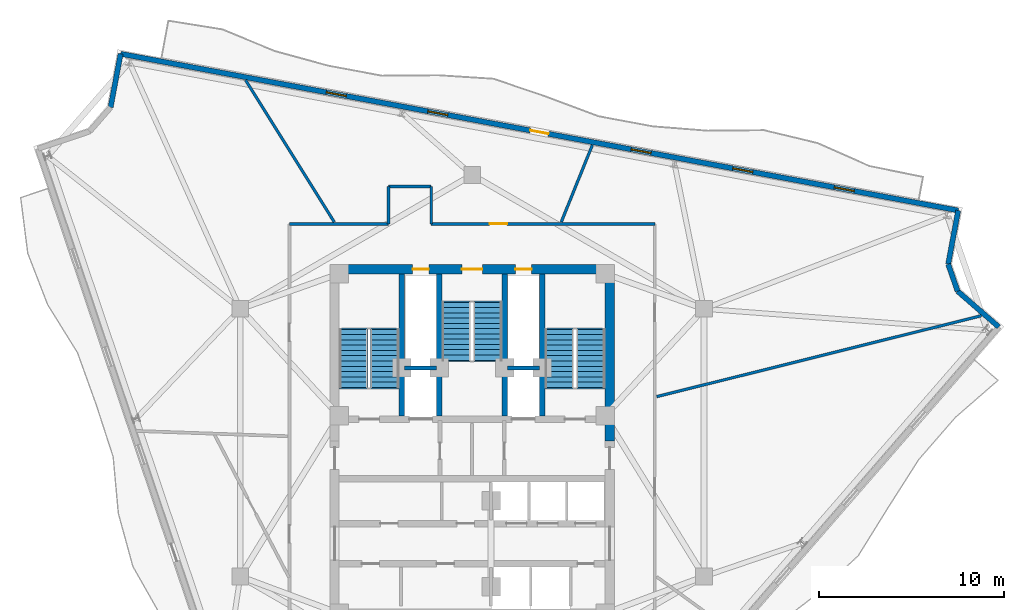
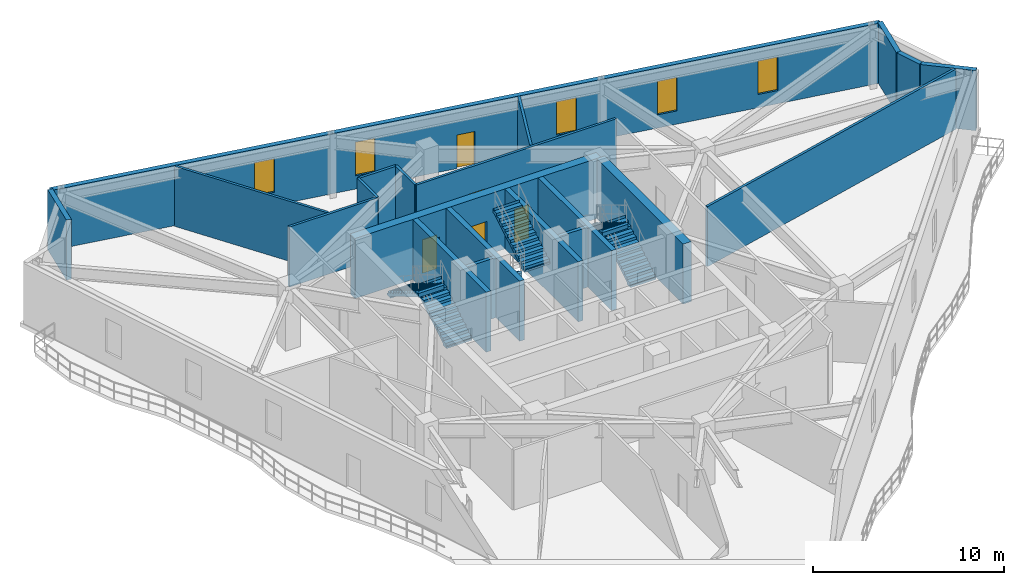
# One storey, part 6 of 9: 21 walls, 6 stair flights, 5 doors, 5 windows, 10 openings, 3 elements without a shape of their own.
"""IFC4 building model written with IfcOpenShell, lengths in metres."""

import ifcopenshell
import ifcopenshell.guid

model = None  # the IFC model being written
_history = None  # IfcOwnerHistory: only IFC2X3 demands one
_inside = {}  # id of a spatial element -> (the spatial element, [elements in it])
_under = {}  # id of a project, library or spatial element -> (it, [spatial elements below it])
_declared = {}  # id of a project -> (the project, [libraries it declares])
_typed = {}  # id of a type object -> (the type object, [elements of that type])
_made_of = {}  # id of a material, layer set ... -> (it, [elements and type objects made of it])


def new_model(schema):
    """Start an empty IFC model of exactly this schema.

    Asked for "IFC4X3", IfcOpenShell would pick the latest addendum, in which some entities
    have other attributes; the version numbers below select the first issue.
    IFC2X3 requires an IfcOwnerHistory on every rooted entity: one is made here for all.
    """
    global model, _history
    if schema == "IFC4X3":
        model = ifcopenshell.file(schema_version=(4, 3, 0, 0))
    else:
        model = ifcopenshell.file(schema=schema)
    _inside.clear()
    _under.clear()
    _declared.clear()
    _typed.clear()
    _made_of.clear()
    _history = None
    if model.schema == "IFC2X3":
        org = make("IfcOrganization", Name="unknown")
        user = make(
            "IfcPersonAndOrganization",
            ThePerson=make("IfcPerson", FamilyName="unknown"),
            TheOrganization=org,
        )
        app = make(
            "IfcApplication",
            ApplicationDeveloper=org,
            Version="unknown",
            ApplicationFullName="unknown",
            ApplicationIdentifier="unknown",
        )
        _history = make(
            "IfcOwnerHistory",
            OwningUser=user,
            OwningApplication=app,
            ChangeAction="ADDED",
            CreationDate=0,
        )
    return model


def make(cls, **values):
    """One entity of the class cls with the attributes given. An attribute that is None is left unset."""
    return model.create_entity(
        cls, **{name: value for name, value in values.items() if value is not None}
    )


def rooted(cls, **values):
    """An entity with a GlobalId (a new one), such as an element, a storey or a relation."""
    return make(cls, GlobalId=ifcopenshell.guid.new(), OwnerHistory=_history, **values)


def si_unit(unit_type, name, prefix=None):
    """IfcSIUnit, for example si_unit("LENGTHUNIT", "METRE", prefix="MILLI")."""
    return make("IfcSIUnit", UnitType=unit_type, Prefix=prefix, Name=name)


def assignment(units):
    """IfcUnitAssignment: the units of a project."""
    return None if units is None else make("IfcUnitAssignment", Units=units)


def point(xyz):
    """IfcCartesianPoint."""
    return None if xyz is None else make("IfcCartesianPoint", Coordinates=xyz)


def direction(xyz):
    """IfcDirection."""
    return None if xyz is None else make("IfcDirection", DirectionRatios=xyz)


def frame(location, z_axis=None, x_axis=None):
    """IfcAxis2Placement3D, a coordinate frame: its origin and axes. An axis left out is left unset."""
    return make(
        "IfcAxis2Placement3D",
        Location=point(location),
        Axis=direction(z_axis),
        RefDirection=direction(x_axis),
    )


def frame_2d(location, x_axis=None):
    """IfcAxis2Placement2D, a coordinate frame in the plane: its origin and x axis."""
    return make(
        "IfcAxis2Placement2D", Location=point(location), RefDirection=direction(x_axis)
    )


def origin():
    """The frame at (0, 0, 0) with its axes left unset."""
    return frame((0.0, 0.0, 0.0))


def place(relative_to, where):
    """IfcLocalPlacement: puts the frame where relative to a parent placement (None: the world)."""
    return make(
        "IfcLocalPlacement", PlacementRelTo=relative_to, RelativePlacement=where
    )


def context(
    kind, dimensions, precision=None, world=None, true_north=None, identifier=None
):
    """IfcGeometricRepresentationContext, for example the 3D "Model" context."""
    return make(
        "IfcGeometricRepresentationContext",
        ContextIdentifier=identifier,
        ContextType=kind,
        CoordinateSpaceDimension=dimensions,
        Precision=precision,
        WorldCoordinateSystem=world,
        TrueNorth=true_north,
    )


def subcontext(parent, identifier, kind, view, scale=None):
    """IfcGeometricRepresentationSubContext, for example "Body" below "Model"."""
    return make(
        "IfcGeometricRepresentationSubContext",
        ContextIdentifier=identifier,
        ContextType=kind,
        ParentContext=parent,
        TargetScale=scale,
        TargetView=view,
    )


def project(units=None, contexts=None):
    """IfcProject with its units and contexts."""
    return rooted(
        "IfcProject",
        Name="project",
        RepresentationContexts=contexts,
        UnitsInContext=assignment(units),
    )


def spatial(cls, under=None, at=None, **own):
    """A site, building, storey or space (cls), placed at a placement, below another one or the project."""
    s = rooted(cls, ObjectPlacement=at, **own)
    if under is not None:
        _under.setdefault(under.id(), (under, []))[1].append(s)
    return s


def polyline(points):
    """IfcPolyline through the points."""
    return make("IfcPolyline", Points=[point(p) for p in points])


def profile(cls, at=None, kind="AREA", **sizes):
    """A parametric profile (cls). Its sizes go by their IFC names, for example OverallWidth=200.0."""
    return make(cls, ProfileType=kind, Position=at, **sizes)


def rectangle(**sizes):
    """IfcRectangleProfileDef."""
    return profile("IfcRectangleProfileDef", **sizes)


def outline(outer, holes=None, kind="AREA"):
    """IfcArbitraryClosedProfileDef: a profile drawn as a closed curve; with holes, ...WithVoids."""
    if holes is None:
        return make("IfcArbitraryClosedProfileDef", ProfileType=kind, OuterCurve=outer)
    return make(
        "IfcArbitraryProfileDefWithVoids",
        ProfileType=kind,
        OuterCurve=outer,
        InnerCurves=holes,
    )


def extrude(swept, where, along, depth):
    """IfcExtrudedAreaSolid: the profile swept, set in the frame where, extruded along a direction by depth."""
    return make(
        "IfcExtrudedAreaSolid",
        SweptArea=swept,
        Position=where,
        ExtrudedDirection=direction(along),
        Depth=depth,
    )


def shape(context_of_items, identifier, shape_type, items):
    """IfcShapeRepresentation: the items that make up one representation, for example the "Body"."""
    return make(
        "IfcShapeRepresentation",
        ContextOfItems=context_of_items,
        RepresentationIdentifier=identifier,
        RepresentationType=shape_type,
        Items=items,
    )


def material(Name=None, Category=None):
    """IfcMaterial."""
    return make("IfcMaterial", Name=Name, Category=Category)


def layer(
    of_material, thickness, ventilated=None, Name=None, Category=None, Priority=None
):
    """IfcMaterialLayer: one layer of a wall or slab, of a material (None: an air gap)."""
    return make(
        "IfcMaterialLayer",
        Material=of_material,
        LayerThickness=thickness,
        IsVentilated=ventilated,
        Name=Name,
        Category=Category,
        Priority=Priority,
    )


def layer_set(layers, Name=None):
    """IfcMaterialLayerSet."""
    return make("IfcMaterialLayerSet", MaterialLayers=layers, LayerSetName=Name)


def made_of(thing, what):
    """Note that an element or type object is made of a material, layer set ...; save() writes the relation."""
    if what is not None:
        _made_of.setdefault(what.id(), (what, []))[1].append(thing)
    return thing


def type_object(cls, material=None, **own):
    """A type object (cls), such as IfcWallType, which elements share."""
    return made_of(rooted(cls, **own), material)


def element(
    cls,
    number,
    at=None,
    inside=None,
    cuts=None,
    type_object=None,
    material=None,
    context=None,
    identifier="Body",
    shape_type=None,
    held_by="IfcProductDefinitionShape",
    body=None,
    shapes=None,
    **own,
):
    """One element of the class cls, such as IfcWall. Its Tag is "e" and its number.

    at: its placement. inside: the storey or other place that contains it. cuts: it is an
    opening in that element (IfcRelVoidsElement). A single representation is given by context,
    identifier, shape_type and body (its items); several are given by shapes. held_by: the class
    of the entity that holds the representations. save() writes the other relations.
    """
    e = rooted(cls, Tag="e%d" % number, ObjectPlacement=at, **own)
    if body is not None:
        shapes = [shape(context, identifier, shape_type, body)]
    if shapes is not None:
        e.Representation = make(held_by, Representations=shapes)
    if inside is not None:
        _inside.setdefault(inside.id(), (inside, []))[1].append(e)
    if cuts is not None:
        rooted(
            "IfcRelVoidsElement", RelatingBuildingElement=cuts, RelatedOpeningElement=e
        )
    if type_object is not None:
        _typed.setdefault(type_object.id(), (type_object, []))[1].append(e)
    return made_of(e, material)


def fill(opening, filler):
    """IfcRelFillsElement: the door or window that sits in an opening."""
    return rooted(
        "IfcRelFillsElement",
        RelatingOpeningElement=opening,
        RelatedBuildingElement=filler,
    )


def aggregate(whole, parts):
    """IfcRelAggregates: a whole, such as a stair, and the parts it consists of."""
    return rooted("IfcRelAggregates", RelatingObject=whole, RelatedObjects=parts)


def save(model, path):
    """Write the relations noted so far, then the file.

    IfcRelAggregates (storeys below a building ...), IfcRelContainedInSpatialStructure (elements
    in a storey), IfcRelDefinesByType, IfcRelAssociatesMaterial and IfcRelDeclares: one each for
    every whole, place, type object, material and project.
    """
    for whole, parts in _under.values():
        aggregate(whole, parts)
    for where, things in _inside.values():
        rooted(
            "IfcRelContainedInSpatialStructure",
            RelatedElements=things,
            RelatingStructure=where,
        )
    for kind, things in _typed.values():
        rooted("IfcRelDefinesByType", RelatedObjects=things, RelatingType=kind)
    for what, things in _made_of.values():
        rooted("IfcRelAssociatesMaterial", RelatedObjects=things, RelatingMaterial=what)
    for by, libraries in _declared.values():
        rooted("IfcRelDeclares", RelatingContext=by, RelatedDefinitions=libraries)
    model.write(path)


model = new_model("IFC4")

# Units and contexts
model_context = context("Model", 3, precision=1e-05, world=origin(), true_north=direction((0.0, 1.0)))
body_context = subcontext(model_context, "Body", "Model", "MODEL_VIEW")
ifc_project = project(units=[si_unit("LENGTHUNIT", "METRE"), si_unit("AREAUNIT", "SQUARE_METRE"), si_unit("VOLUMEUNIT", "CUBIC_METRE"), si_unit("PLANEANGLEUNIT", "RADIAN"), si_unit("MASSUNIT", "GRAM", prefix="KILO")], contexts=[model_context])

# Site, building, storey
site_placement = place(None, origin())
site = spatial("IfcSite", under=ifc_project, at=site_placement, CompositionType="ELEMENT")
building_placement = place(site_placement, origin())
building = spatial("IfcBuilding", under=site, at=building_placement, Name="Apsidion Concourse Tower", CompositionType="ELEMENT")
storey_placement = place(building_placement, frame((0.0, 0.0, 273.699951171875)))
storey = spatial("IfcBuildingStorey", under=building, at=storey_placement, Name="L64", CompositionType="ELEMENT", Elevation=273.699951171875)

# Wall, openings, door, windows
ifc_material_1 = material(Name="Precast concrete C40/50", Category="concrete")
ifc_layer_1 = layer(ifc_material_1, 0.280029296875)
ifc_layer_set_1 = layer_set([ifc_layer_1], Name="Precast concrete C40/50")
wall_type_1 = type_object("IfcWallType", Name="WL-EXT-280", PredefinedType="STANDARD", material=ifc_layer_set_1)
wall_1_placement = place(storey_placement, frame((-19.04150390625, 21.06640625, 0.0), z_axis=(0.0, 0.0, 1.0), x_axis=(0.982948140881, -0.183882985453, 0.0)))
wall_1 = element("IfcWall", 1, at=wall_1_placement, inside=storey, type_object=wall_type_1, Name="L64 Precast Stone Facade Wall 01", PredefinedType="STANDARD", context=body_context, shape_type="SweptSolid", body=[
    extrude(rectangle(XDim=46.16259765625, YDim=0.280029296875, at=frame_2d((23.081298828125, 0.0))), origin(), (0.0, 0.0, 1.0), 3.85009765625),
])
opening_1_placement = place(wall_1_placement, frame((22.581298828125, 0.0, 0.0)))
opening_1 = element("IfcOpeningElement", 2, at=opening_1_placement, cuts=wall_1, Name="Opening D-T1L", PredefinedType="OPENING", context=body_context, shape_type="SweptSolid", body=[
    extrude(rectangle(XDim=1.0, YDim=2.14990234375, at=frame_2d((0.5, 1.074951171875))), frame((0.0, 0.14990234375, 0.0), z_axis=(0.0, -1.0, 0.0), x_axis=(1.0, 0.0, 0.0)), (0.0, 0.0, 1.0), 0.300048828125),
])
opening_2_placement = place(wall_1_placement, frame((11.331298828125, 0.0, 0.85009765625)))
opening_2 = element("IfcOpeningElement", 3, at=opening_2_placement, cuts=wall_1, Name="Opening WN-07", PredefinedType="OPENING", context=body_context, shape_type="SweptSolid", body=[
    extrude(rectangle(XDim=1.10009765625, YDim=2.14990234375, at=frame_2d((0.550048828125, 1.074951171875))), frame((0.0, 0.14990234375, 0.0), z_axis=(0.0, -1.0, 0.0), x_axis=(1.0, 0.0, 0.0)), (0.0, 0.0, 1.0), 0.300048828125),
])
opening_3_placement = place(wall_1_placement, frame((16.931396484375, 0.0, 0.85009765625)))
opening_3 = element("IfcOpeningElement", 4, at=opening_3_placement, cuts=wall_1, Name="Opening WN-07", PredefinedType="OPENING", context=body_context, shape_type="SweptSolid", body=[
    extrude(rectangle(XDim=1.10009765625, YDim=2.14990234375, at=frame_2d((0.550048828125, 1.074951171875))), frame((0.0, 0.14990234375, 0.0), z_axis=(0.0, -1.0, 0.0), x_axis=(1.0, 0.0, 0.0)), (0.0, 0.0, 1.0), 0.300048828125),
])
opening_4_placement = place(wall_1_placement, frame((28.13134765625, 0.0, 0.85009765625)))
opening_4 = element("IfcOpeningElement", 5, at=opening_4_placement, cuts=wall_1, Name="Opening WN-07", PredefinedType="OPENING", context=body_context, shape_type="SweptSolid", body=[
    extrude(rectangle(XDim=1.10009765625, YDim=2.14990234375, at=frame_2d((0.550048828125, 1.074951171875))), frame((0.0, 0.14990234375, 0.0), z_axis=(0.0, -1.0, 0.0), x_axis=(1.0, 0.0, 0.0)), (0.0, 0.0, 1.0), 0.300048828125),
])
opening_5_placement = place(wall_1_placement, frame((33.731201171875, 0.0, 0.85009765625)))
opening_5 = element("IfcOpeningElement", 6, at=opening_5_placement, cuts=wall_1, Name="Opening WN-07", PredefinedType="OPENING", context=body_context, shape_type="SweptSolid", body=[
    extrude(rectangle(XDim=1.10009765625, YDim=2.14990234375, at=frame_2d((0.550048828125, 1.074951171875))), frame((0.0, 0.14990234375, 0.0), z_axis=(0.0, -1.0, 0.0), x_axis=(1.0, 0.0, 0.0)), (0.0, 0.0, 1.0), 0.300048828125),
])
opening_6_placement = place(wall_1_placement, frame((39.331298828125, 0.0, 0.85009765625)))
opening_6 = element("IfcOpeningElement", 7, at=opening_6_placement, cuts=wall_1, Name="Opening WN-07", PredefinedType="OPENING", context=body_context, shape_type="SweptSolid", body=[
    extrude(rectangle(XDim=1.10009765625, YDim=2.14990234375, at=frame_2d((0.550048828125, 1.074951171875))), frame((0.0, 0.14990234375, 0.0), z_axis=(0.0, -1.0, 0.0), x_axis=(1.0, 0.0, 0.0)), (0.0, 0.0, 1.0), 0.300048828125),
])
ifc_material_2 = material(Name="Anodised aluminium EN AW-6063 T6", Category="aluminium")
door_type_1 = type_object("IfcDoorType", Name="DR-TER-1022L", OperationType="SINGLE_SWING_LEFT", PredefinedType="DOOR", material=ifc_material_2)
door_1_placement = place(opening_1_placement, origin())
door_1 = element("IfcDoor", 8, at=door_1_placement, inside=storey, type_object=door_type_1, Name="L64 Balcony Access Door 3", OperationType="SINGLE_SWING_LEFT", OverallHeight=2.14990234375, OverallWidth=1.0, PredefinedType="DOOR", context=body_context, shape_type="SweptSolid", body=[
    extrude(rectangle(XDim=1.0, YDim=2.14990234375, at=frame_2d((0.5, 1.074951171875))), frame((0.0, 0.02490234375, 0.0), z_axis=(0.0, -1.0, 0.0), x_axis=(1.0, 0.0, 0.0)), (0.0, 0.0, 1.0), 0.050048828125),
])
fill(opening_1, door_1)
ifc_material_3 = material(Name="Insulated laminated low-E glass", Category="glass")
window_type = type_object("IfcWindowType", Name="WN-OFF-1123", PartitioningType="SINGLE_PANEL", PredefinedType="WINDOW", material=ifc_material_3)
window_1_placement = place(opening_2_placement, origin())
window_1 = element("IfcWindow", 9, at=window_1_placement, inside=storey, type_object=window_type, Name="L64 Punched Facade Window 1-02", OverallHeight=2.14990234375, OverallWidth=1.10009765625, PartitioningType="SINGLE_PANEL", PredefinedType="WINDOW", context=body_context, shape_type="SweptSolid", body=[
    extrude(rectangle(XDim=1.10009765625, YDim=2.14990234375, at=frame_2d((0.550048828125, 1.074951171875))), frame((0.0, 0.030029296875, 0.0), z_axis=(0.0, -1.0, 0.0), x_axis=(1.0, 0.0, 0.0)), (0.0, 0.0, 1.0), 0.06005859375),
])
fill(opening_2, window_1)
window_2_placement = place(opening_3_placement, origin())
window_2 = element("IfcWindow", 10, at=window_2_placement, inside=storey, type_object=window_type, Name="L64 Punched Facade Window 1-03", OverallHeight=2.14990234375, OverallWidth=1.10009765625, PartitioningType="SINGLE_PANEL", PredefinedType="WINDOW", context=body_context, shape_type="SweptSolid", body=[
    extrude(rectangle(XDim=1.10009765625, YDim=2.14990234375, at=frame_2d((0.550048828125, 1.074951171875))), frame((0.0, 0.030029296875, 0.0), z_axis=(0.0, -1.0, 0.0), x_axis=(1.0, 0.0, 0.0)), (0.0, 0.0, 1.0), 0.06005859375),
])
fill(opening_3, window_2)
window_3_placement = place(opening_4_placement, origin())
window_3 = element("IfcWindow", 11, at=window_3_placement, inside=storey, type_object=window_type, Name="L64 Punched Facade Window 1-05", OverallHeight=2.14990234375, OverallWidth=1.10009765625, PartitioningType="SINGLE_PANEL", PredefinedType="WINDOW", context=body_context, shape_type="SweptSolid", body=[
    extrude(rectangle(XDim=1.10009765625, YDim=2.14990234375, at=frame_2d((0.550048828125, 1.074951171875))), frame((0.0, 0.030029296875, 0.0), z_axis=(0.0, -1.0, 0.0), x_axis=(1.0, 0.0, 0.0)), (0.0, 0.0, 1.0), 0.06005859375),
])
fill(opening_4, window_3)
window_4_placement = place(opening_5_placement, origin())
window_4 = element("IfcWindow", 12, at=window_4_placement, inside=storey, type_object=window_type, Name="L64 Punched Facade Window 1-06", OverallHeight=2.14990234375, OverallWidth=1.10009765625, PartitioningType="SINGLE_PANEL", PredefinedType="WINDOW", context=body_context, shape_type="SweptSolid", body=[
    extrude(rectangle(XDim=1.10009765625, YDim=2.14990234375, at=frame_2d((0.550048828125, 1.074951171875))), frame((0.0, 0.030029296875, 0.0), z_axis=(0.0, -1.0, 0.0), x_axis=(1.0, 0.0, 0.0)), (0.0, 0.0, 1.0), 0.06005859375),
])
fill(opening_5, window_4)
window_5_placement = place(opening_6_placement, origin())
window_5 = element("IfcWindow", 13, at=window_5_placement, inside=storey, type_object=window_type, Name="L64 Punched Facade Window 1-07", OverallHeight=2.14990234375, OverallWidth=1.10009765625, PartitioningType="SINGLE_PANEL", PredefinedType="WINDOW", context=body_context, shape_type="SweptSolid", body=[
    extrude(rectangle(XDim=1.10009765625, YDim=2.14990234375, at=frame_2d((0.550048828125, 1.074951171875))), frame((0.0, 0.030029296875, 0.0), z_axis=(0.0, -1.0, 0.0), x_axis=(1.0, 0.0, 0.0)), (0.0, 0.0, 1.0), 0.06005859375),
])
fill(opening_6, window_5)

# Walls
wall_2_placement = place(storey_placement, frame((26.333984375, 12.577880859375, 0.0), z_axis=(0.0, 0.0, 1.0), x_axis=(-0.183929325972, -0.982939470694, 0.0)))
element("IfcWall", 14, at=wall_2_placement, inside=storey, type_object=wall_type_1, Name="L64 Precast Stone Facade Wall 02", PredefinedType="STANDARD", context=body_context, shape_type="SweptSolid", body=[
    extrude(rectangle(XDim=2.95458984375, YDim=0.280029296875, at=frame_2d((1.477294921875, 0.0))), origin(), (0.0, 0.0, 1.0), 3.85009765625),
])
wall_3_placement = place(storey_placement, frame((25.79052734375, 9.673583984375, 0.0), z_axis=(0.0, 0.0, 1.0), x_axis=(0.328922695325, -0.944356850189, 0.0)))
element("IfcWall", 15, at=wall_3_placement, inside=storey, type_object=wall_type_1, Name="L64 Precast Stone Facade Wall 03", PredefinedType="STANDARD", context=body_context, shape_type="SweptSolid", body=[
    extrude(rectangle(XDim=1.55419921875, YDim=0.280029296875, at=frame_2d((0.777099609375, 0.0))), origin(), (0.0, 0.0, 1.0), 3.85009765625),
])
wall_4_placement = place(storey_placement, frame((26.3017578125, 8.205810546875, 0.0), z_axis=(0.0, 0.0, 1.0), x_axis=(0.754717590568, -0.656049814028, 0.0)))
element("IfcWall", 16, at=wall_4_placement, inside=storey, type_object=wall_type_1, Name="L64 Precast Stone Facade Wall 04", PredefinedType="STANDARD", context=body_context, shape_type="SweptSolid", body=[
    extrude(rectangle(XDim=2.954345703125, YDim=0.280029296875, at=frame_2d((1.47705078125, 0.0))), origin(), (0.0, 0.0, 1.0), 3.85009765625),
])
wall_5_placement = place(storey_placement, frame((-19.5849609375, 18.1611328125, 0.0), z_axis=(0.0, 0.0, 1.0), x_axis=(0.183869591509, 0.982950646431, 0.0)))
element("IfcWall", 17, at=wall_5_placement, inside=storey, type_object=wall_type_1, Name="L64 Precast Stone Facade Wall 12", PredefinedType="STANDARD", context=body_context, shape_type="SweptSolid", body=[
    extrude(rectangle(XDim=2.95556640625, YDim=0.280029296875, at=frame_2d((1.477783203125, 0.0))), origin(), (0.0, 0.0, 1.0), 3.85009765625),
])
ifc_material_4 = material(Name="Gypsum plasterboard partition")
ifc_layer_2 = layer(ifc_material_4, 0.14990234375)
ifc_layer_set_2 = layer_set([ifc_layer_2], Name="Gypsum plasterboard partition")
wall_type_2 = type_object("IfcWallType", Name="WL-INT-PAR-150", PredefinedType="PARTITIONING", material=ifc_layer_set_2)
wall_6_placement = place(storey_placement, frame((-9.89990234375, 11.85009765625, 0.0), z_axis=(0.0, 0.0, 1.0), x_axis=(1.0, 0.0, 0.0)))
element("IfcWall", 18, at=wall_6_placement, inside=storey, type_object=wall_type_2, Name="L64 Interior Partition WL-L64-CORR-03", PredefinedType="PARTITIONING", context=body_context, shape_type="SweptSolid", body=[
    extrude(rectangle(XDim=5.369873046875, YDim=0.14990234375, at=frame_2d((2.68505859375, 0.0))), origin(), (0.0, 0.0, 1.0), 3.85009765625),
])
wall_7_placement = place(storey_placement, frame((-4.530029296875, 11.85009765625, 0.0), z_axis=(0.0, 0.0, 1.0), x_axis=(0.0, 1.0, 0.0)))
element("IfcWall", 19, at=wall_7_placement, inside=storey, type_object=wall_type_2, Name="L64 Interior Partition WL-L64-CORR-04", PredefinedType="PARTITIONING", context=body_context, shape_type="SweptSolid", body=[
    extrude(rectangle(XDim=2.02978515625, YDim=0.14990234375, at=frame_2d((1.014892578125, 0.0))), origin(), (0.0, 0.0, 1.0), 3.85009765625),
])
wall_8_placement = place(storey_placement, frame((-4.530029296875, 13.8798828125, 0.0), z_axis=(0.0, 0.0, 1.0), x_axis=(1.0, 0.0, 0.0)))
element("IfcWall", 20, at=wall_8_placement, inside=storey, type_object=wall_type_2, Name="L64 Interior Partition WL-L64-CORR-05", PredefinedType="PARTITIONING", context=body_context, shape_type="SweptSolid", body=[
    extrude(rectangle(XDim=2.31005859375, YDim=0.14990234375, at=frame_2d((1.155029296875, 0.0))), origin(), (0.0, 0.0, 1.0), 3.85009765625),
])
wall_9_placement = place(storey_placement, frame((-2.219970703125, 13.8798828125, 0.0), z_axis=(0.0, 0.0, 1.0), x_axis=(0.0, -1.0, 0.0)))
element("IfcWall", 21, at=wall_9_placement, inside=storey, type_object=wall_type_2, Name="L64 Interior Partition WL-L64-CORR-06", PredefinedType="PARTITIONING", context=body_context, shape_type="SweptSolid", body=[
    extrude(rectangle(XDim=2.02978515625, YDim=0.14990234375, at=frame_2d((1.014892578125, 0.0))), origin(), (0.0, 0.0, 1.0), 3.85009765625),
])

# Wall, opening, door
wall_10_placement = place(storey_placement, frame((-2.219970703125, 11.85009765625, 0.0), z_axis=(0.0, 0.0, 1.0), x_axis=(1.0, 0.0, 0.0)))
wall_10 = element("IfcWall", 22, at=wall_10_placement, inside=storey, type_object=wall_type_2, Name="L64 Interior Partition WL-L64-CORR-07", PredefinedType="PARTITIONING", context=body_context, shape_type="SweptSolid", body=[
    extrude(rectangle(XDim=12.119873046875, YDim=0.14990234375, at=frame_2d((6.06005859375, 0.0))), origin(), (0.0, 0.0, 1.0), 3.85009765625),
])
opening_7_placement = place(wall_10_placement, frame((3.171875, 0.0, 0.0)))
opening_7 = element("IfcOpeningElement", 23, at=opening_7_placement, cuts=wall_10, Name="Opening D-01R", PredefinedType="OPENING", context=body_context, shape_type="SweptSolid", body=[
    extrude(rectangle(XDim=0.949951171875, YDim=2.14990234375, at=frame_2d((0.47509765625, 1.074951171875))), frame((0.0, 0.0849609375, 0.0), z_axis=(0.0, -1.0, 0.0), x_axis=(1.0, 0.0, 0.0)), (0.0, 0.0, 1.0), 0.169921875),
])
ifc_material_5 = material(Name="Brushed stainless steel 316", Category="steel")
door_type_2 = type_object("IfcDoorType", Name="DR-INT-D01R", OperationType="SINGLE_SWING_RIGHT", PredefinedType="DOOR", material=ifc_material_5)
door_2_placement = place(opening_7_placement, origin())
door_2 = element("IfcDoor", 24, at=door_2_placement, inside=storey, type_object=door_type_2, Name="L64 Corridor Entry Door 06", OperationType="SINGLE_SWING_RIGHT", OverallHeight=2.14990234375, OverallWidth=0.949951171875, PredefinedType="DOOR", context=body_context, shape_type="SweptSolid", body=[
    extrude(rectangle(XDim=0.949951171875, YDim=2.14990234375, at=frame_2d((0.47509765625, 1.074951171875))), frame((0.0, 0.02490234375, 0.0), z_axis=(0.0, -1.0, 0.0), x_axis=(1.0, 0.0, 0.0)), (0.0, 0.0, 1.0), 0.050048828125),
])
fill(opening_7, door_2)

# Walls
wall_11_placement = place(storey_placement, frame((10.0048828125, 2.494384765625, 0.0), z_axis=(0.0, 0.0, 1.0), x_axis=(0.970293647919, 0.24193023128, 0.0)))
element("IfcWall", 25, at=wall_11_placement, inside=storey, type_object=wall_type_2, Name="L64 Interior Partition WL-L64-RAD-01-1", PredefinedType="PARTITIONING", context=body_context, shape_type="SweptSolid", body=[
    extrude(rectangle(XDim=18.125, YDim=0.14990234375, at=frame_2d((9.0625, 0.0))), origin(), (0.0, 0.0, 1.0), 3.85009765625),
])
wall_12_placement = place(storey_placement, frame((4.830078125, 11.955078125, 0.0), z_axis=(0.0, 0.0, 1.0), x_axis=(0.374643331919, 0.927169010401, 0.0)))
element("IfcWall", 26, at=wall_12_placement, inside=storey, type_object=wall_type_2, Name="L64 Interior Partition WL-L64-RAD-02-1", PredefinedType="PARTITIONING", context=body_context, shape_type="SweptSolid", body=[
    extrude(rectangle(XDim=4.50048828125, YDim=0.14990234375, at=frame_2d((2.250244140625, 0.0))), origin(), (0.0, 0.0, 1.0), 3.85009765625),
])
wall_13_placement = place(storey_placement, frame((-7.47021484375, 11.955078125, 0.0), z_axis=(0.0, 0.0, 1.0), x_axis=(-0.529940838279, 0.848034614815, 0.0)))
element("IfcWall", 27, at=wall_13_placement, inside=storey, type_object=wall_type_2, Name="L64 Interior Partition WL-L64-RAD-03-1", PredefinedType="PARTITIONING", context=body_context, shape_type="SweptSolid", body=[
    extrude(rectangle(XDim=9.065185546875, YDim=0.14990234375, at=frame_2d((4.53271484375, 0.0))), origin(), (0.0, 0.0, 1.0), 3.85009765625),
])
ifc_layer_3 = layer(ifc_material_4, 0.199951171875)
ifc_layer_set_3 = layer_set([ifc_layer_3], Name="Gypsum plasterboard partition")
wall_type_3 = type_object("IfcWallType", Name="WL-INT-PAR-200", PredefinedType="PARTITIONING", material=ifc_layer_set_3)
for number, where, z_axis, x_axis, name in (
    (28, (-3.64990234375, 4.050048828125, 0.0), (0.0, 0.0, 1.0), (1.0, 0.0, 0.0), "L64 Interior Partition WL-L64-FF1-N"),
    (29, (1.919921875, 4.050048828125, 0.0), (0.0, 0.0, 1.0), (1.0, 0.0, 0.0), "L64 Interior Partition WL-L64-FF2-N"),
):
    element("IfcWall", number, at=place(storey_placement, frame(where, z_axis=z_axis, x_axis=x_axis)), inside=storey, type_object=wall_type_3, Name=name, PredefinedType="PARTITIONING", context=body_context, shape_type="SweptSolid", body=[
        extrude(rectangle(XDim=1.72998046875, YDim=0.199951171875, at=frame_2d((0.864990234375, 0.0))), origin(), (0.0, 0.0, 1.0), 3.85009765625),
    ])
ifc_material_6 = material(Name="Concrete C50/60", Category="concrete")
ifc_layer_4 = layer(ifc_material_6, 0.300048828125)
ifc_layer_set_4 = layer_set([ifc_layer_4], Name="Concrete C50/60")
wall_type_4 = type_object("IfcWallType", Name="WL-SH-300", PredefinedType="SHEAR", material=ifc_layer_set_4)
for number, where, z_axis, x_axis, name in (
    (30, (-3.800048828125, 1.449951171875, 0.0), (0.0, 0.0, 1.0), (0.0, 1.0, 0.0), "L64 Central Core Shear Wall V1"),
    (31, (-1.77490234375, 1.449951171875, 0.0), (0.0, 0.0, 1.0), (0.0, 1.0, 0.0), "L64 Central Core Shear Wall V2"),
    (32, (1.77490234375, 1.449951171875, 0.0), (0.0, 0.0, 1.0), (0.0, 1.0, 0.0), "L64 Central Core Shear Wall V3"),
    (33, (3.800048828125, 1.449951171875, 0.0), (0.0, 0.0, 1.0), (0.0, 1.0, 0.0), "L64 Central Core Shear Wall V4"),
):
    element("IfcWall", number, at=place(storey_placement, frame(where, z_axis=z_axis, x_axis=x_axis)), inside=storey, type_object=wall_type_4, Name=name, PredefinedType="SHEAR", context=body_context, shape_type="SweptSolid", body=[
        extrude(rectangle(XDim=7.699951171875, YDim=0.300048828125, at=frame_2d((3.85009765625, 0.0))), origin(), (0.0, 0.0, 1.0), 3.85009765625),
    ])

# Wall, openings, doors
ifc_layer_5 = layer(ifc_material_6, 0.5)
ifc_layer_set_5 = layer_set([ifc_layer_5], Name="Concrete C50/60")
wall_type_5 = type_object("IfcWallType", Name="WL-SH-500", PredefinedType="SHEAR", material=ifc_layer_set_5)
wall_14_placement = place(storey_placement, frame((-7.449951171875, 9.39990234375, 0.0), z_axis=(0.0, 0.0, 1.0), x_axis=(1.0, 0.0, 0.0)))
wall_14 = element("IfcWall", 34, at=wall_14_placement, inside=storey, type_object=wall_type_5, Name="L64 Central Core Shear Wall N", PredefinedType="SHEAR", context=body_context, shape_type="SweptSolid", body=[
    extrude(rectangle(XDim=14.89990234375, YDim=0.5, at=frame_2d((7.449951171875, 0.0))), origin(), (0.0, 0.0, 1.0), 3.85009765625),
])
opening_8_placement = place(wall_14_placement, frame((6.89990234375, 0.0, 0.0)))
opening_8 = element("IfcOpeningElement", 35, at=opening_8_placement, cuts=wall_14, Name="Opening D-STL", PredefinedType="OPENING", context=body_context, shape_type="SweptSolid", body=[
    extrude(rectangle(XDim=1.10009765625, YDim=2.14990234375, at=frame_2d((0.550048828125, 1.074951171875))), frame((0.0, 0.260009765625, 0.0), z_axis=(0.0, -1.0, 0.0), x_axis=(1.0, 0.0, 0.0)), (0.0, 0.0, 1.0), 0.52001953125),
])
opening_9_placement = place(wall_14_placement, frame((4.22998046875, 0.0, 0.0)))
opening_9 = element("IfcOpeningElement", 36, at=opening_9_placement, cuts=wall_14, Name="Opening D-05L", PredefinedType="OPENING", context=body_context, shape_type="SweptSolid", body=[
    extrude(rectangle(XDim=0.8798828125, YDim=2.14990234375, at=frame_2d((0.43994140625, 1.074951171875))), frame((0.0, 0.260009765625, 0.0), z_axis=(0.0, -1.0, 0.0), x_axis=(1.0, 0.0, 0.0)), (0.0, 0.0, 1.0), 0.52001953125),
])
opening_10_placement = place(wall_14_placement, frame((9.7900390625, 0.0, 0.0)))
opening_10 = element("IfcOpeningElement", 37, at=opening_10_placement, cuts=wall_14, Name="Opening D-05R", PredefinedType="OPENING", context=body_context, shape_type="SweptSolid", body=[
    extrude(rectangle(XDim=0.8798828125, YDim=2.14990234375, at=frame_2d((0.43994140625, 1.074951171875))), frame((0.0, 0.260009765625, 0.0), z_axis=(0.0, -1.0, 0.0), x_axis=(1.0, 0.0, 0.0)), (0.0, 0.0, 1.0), 0.52001953125),
])
door_type_3 = type_object("IfcDoorType", Name="DR-INT-D05L", OperationType="SINGLE_SWING_LEFT", PredefinedType="DOOR", material=ifc_material_5)
door_3_placement = place(opening_9_placement, origin())
door_3 = element("IfcDoor", 38, at=door_3_placement, inside=storey, type_object=door_type_3, Name="L64 Electrical Riser Shaft Access Door", OperationType="SINGLE_SWING_LEFT", OverallHeight=2.14990234375, OverallWidth=0.8798828125, PredefinedType="DOOR", context=body_context, shape_type="SweptSolid", body=[
    extrude(rectangle(XDim=0.8798828125, YDim=2.14990234375, at=frame_2d((0.43994140625, 1.074951171875))), frame((0.0, 0.02490234375, 0.0), z_axis=(0.0, -1.0, 0.0), x_axis=(1.0, 0.0, 0.0)), (0.0, 0.0, 1.0), 0.050048828125),
])
fill(opening_9, door_3)
door_type_4 = type_object("IfcDoorType", Name="DR-INT-D05R", OperationType="SINGLE_SWING_RIGHT", PredefinedType="DOOR", material=ifc_material_5)
door_4_placement = place(opening_10_placement, origin())
door_4 = element("IfcDoor", 39, at=door_4_placement, inside=storey, type_object=door_type_4, Name="L64 Mechanical Riser Shaft Access Door", OperationType="SINGLE_SWING_RIGHT", OverallHeight=2.14990234375, OverallWidth=0.8798828125, PredefinedType="DOOR", context=body_context, shape_type="SweptSolid", body=[
    extrude(rectangle(XDim=0.8798828125, YDim=2.14990234375, at=frame_2d((0.43994140625, 1.074951171875))), frame((0.0, 0.02490234375, 0.0), z_axis=(0.0, -1.0, 0.0), x_axis=(1.0, 0.0, 0.0)), (0.0, 0.0, 1.0), 0.050048828125),
])
fill(opening_10, door_4)
door_type_5 = type_object("IfcDoorType", Name="DR-INT-ST1L", OperationType="SINGLE_SWING_LEFT", PredefinedType="DOOR", material=ifc_material_5)
door_5_placement = place(opening_8_placement, origin())
door_5 = element("IfcDoor", 40, at=door_5_placement, inside=storey, type_object=door_type_5, Name="L64 Core Exit Stair ST3 Door", OperationType="SINGLE_SWING_LEFT", OverallHeight=2.14990234375, OverallWidth=1.10009765625, PredefinedType="DOOR", context=body_context, shape_type="SweptSolid", body=[
    extrude(rectangle(XDim=1.10009765625, YDim=2.14990234375, at=frame_2d((0.550048828125, 1.074951171875))), frame((0.0, 0.02490234375, 0.0), z_axis=(0.0, -1.0, 0.0), x_axis=(1.0, 0.0, 0.0)), (0.0, 0.0, 1.0), 0.050048828125),
])
fill(opening_8, door_5)

# Wall
wall_15_placement = place(storey_placement, frame((7.449951171875, 0.10009765625, 0.0), z_axis=(0.0, 0.0, 1.0), x_axis=(0.0, 1.0, 0.0)))
element("IfcWall", 41, at=wall_15_placement, inside=storey, type_object=wall_type_5, Name="L64 Central Core Shear Wall EN", PredefinedType="SHEAR", context=body_context, shape_type="SweptSolid", body=[
    extrude(rectangle(XDim=9.0498046875, YDim=0.5, at=frame_2d((4.52490234375, 0.0))), origin(), (0.0, 0.0, 1.0), 3.85009765625),
])

# Stair, stair flights
stair_type = type_object("IfcStairType", Name="ST-DL-1550", PredefinedType="HALF_TURN_STAIR", material=ifc_material_1)
stair_1_placement = place(storey_placement, origin())
stair_1 = element("IfcStair", 42, at=stair_1_placement, inside=storey, type_object=stair_type, Name="L64 Protected Core Exit Stair ST1", PredefinedType="HALF_TURN_STAIR")
stair_flight_type = type_object("IfcStairFlightType", Name="SFL-RC-1550", PredefinedType="STRAIGHT", material=ifc_material_1)
stair_flight_1_placement = place(storey_placement, frame((-4.72509765625, 3.0, 0.0), z_axis=(0.0, 0.0, 1.0), x_axis=(0.0, 1.0, 0.0)))
stair_flight_1 = element("IfcStairFlight", 43, at=stair_flight_1_placement, type_object=stair_flight_type, Name="ST1 flight 1", NumberOfRisers=12, NumberOfTreads=11, PredefinedType="STRAIGHT", RiserHeight=0.170833333, TreadLength=0.285, context=body_context, shape_type="SweptSolid", body=[
    extrude(outline(polyline([(-0.080078125, -0.1123046875), (-0.080078125, 0.0), (0.0, 0.0), (0.0, 0.1708984375), (0.284912109375, 0.1708984375), (0.284912109375, 0.341552734375), (0.570068359375, 0.341552734375), (0.570068359375, 0.512451171875), (0.85498046875, 0.512451171875), (0.85498046875, 0.683349609375), (1.139892578125, 0.683349609375), (1.139892578125, 0.854248046875), (1.425048828125, 0.854248046875), (1.425048828125, 1.02490234375), (1.7099609375, 1.02490234375), (1.7099609375, 1.19580078125), (1.9951171875, 1.19580078125), (1.9951171875, 1.36669921875), (2.280029296875, 1.36669921875), (2.280029296875, 1.53759765625), (2.56494140625, 1.53759765625), (2.56494140625, 1.708251953125), (2.85009765625, 1.708251953125), (2.85009765625, 1.879150390625), (3.135009765625, 1.879150390625), (3.135009765625, 2.050048828125), (3.215087890625, 1.964599609375), (3.215087890625, 1.704345703125), (3.135009765625, 1.704345703125), (0.29150390625, 0.0), (0.29150390625, -0.1123046875), (-0.080078125, -0.1123046875)])), frame((0.0, 0.77490234375, 0.0), z_axis=(0.0, -1.0, 0.0), x_axis=(1.0, 0.0, 0.0)), (0.0, 0.0, 1.0), 1.550048828125),
])
stair_flight_2_placement = place(storey_placement, frame((-6.425048828125, 6.135009765625, 2.050048828125), z_axis=(0.0, 0.0, 1.0), x_axis=(0.0, -1.0, 0.0)))
stair_flight_2 = element("IfcStairFlight", 44, at=stair_flight_2_placement, type_object=stair_flight_type, Name="ST1 flight 2", NumberOfRisers=12, NumberOfTreads=11, PredefinedType="STRAIGHT", RiserHeight=0.170833333, TreadLength=0.285, context=body_context, shape_type="SweptSolid", body=[
    extrude(outline(polyline([(-0.080078125, -0.1123046875), (-0.080078125, 0.0), (0.0, 0.0), (0.0, 0.1708984375), (0.284912109375, 0.1708984375), (0.284912109375, 0.341552734375), (0.570068359375, 0.341552734375), (0.570068359375, 0.512451171875), (0.85498046875, 0.512451171875), (0.85498046875, 0.683349609375), (1.139892578125, 0.683349609375), (1.139892578125, 0.854248046875), (1.425048828125, 0.854248046875), (1.425048828125, 1.02490234375), (1.7099609375, 1.02490234375), (1.7099609375, 1.19580078125), (1.9951171875, 1.19580078125), (1.9951171875, 1.36669921875), (2.280029296875, 1.36669921875), (2.280029296875, 1.53759765625), (2.56494140625, 1.53759765625), (2.56494140625, 1.708251953125), (2.85009765625, 1.708251953125), (2.85009765625, 1.879150390625), (3.135009765625, 1.879150390625), (3.135009765625, 2.050048828125), (3.215087890625, 1.964599609375), (3.215087890625, 1.704345703125), (3.135009765625, 1.704345703125), (0.29150390625, 0.0), (0.29150390625, -0.1123046875), (-0.080078125, -0.1123046875)])), frame((0.0, 0.77490234375, 0.0), z_axis=(0.0, -1.0, 0.0), x_axis=(1.0, 0.0, 0.0)), (0.0, 0.0, 1.0), 1.550048828125),
])
aggregate(stair_1, [stair_flight_1, stair_flight_2])

stair_2_placement = place(storey_placement, origin())
stair_2 = element("IfcStair", 45, at=stair_2_placement, inside=storey, type_object=stair_type, Name="L64 Protected Core Exit Stair ST2", PredefinedType="HALF_TURN_STAIR")
stair_flight_3_placement = place(storey_placement, frame((6.425048828125, 3.0, 0.0), z_axis=(0.0, 0.0, 1.0), x_axis=(0.0, 1.0, 0.0)))
stair_flight_3 = element("IfcStairFlight", 46, at=stair_flight_3_placement, type_object=stair_flight_type, Name="ST2 flight 1", NumberOfRisers=12, NumberOfTreads=11, PredefinedType="STRAIGHT", RiserHeight=0.170833333, TreadLength=0.285, context=body_context, shape_type="SweptSolid", body=[
    extrude(outline(polyline([(-0.080078125, -0.1123046875), (-0.080078125, 0.0), (0.0, 0.0), (0.0, 0.1708984375), (0.284912109375, 0.1708984375), (0.284912109375, 0.341552734375), (0.570068359375, 0.341552734375), (0.570068359375, 0.512451171875), (0.85498046875, 0.512451171875), (0.85498046875, 0.683349609375), (1.139892578125, 0.683349609375), (1.139892578125, 0.854248046875), (1.425048828125, 0.854248046875), (1.425048828125, 1.02490234375), (1.7099609375, 1.02490234375), (1.7099609375, 1.19580078125), (1.9951171875, 1.19580078125), (1.9951171875, 1.36669921875), (2.280029296875, 1.36669921875), (2.280029296875, 1.53759765625), (2.56494140625, 1.53759765625), (2.56494140625, 1.708251953125), (2.85009765625, 1.708251953125), (2.85009765625, 1.879150390625), (3.135009765625, 1.879150390625), (3.135009765625, 2.050048828125), (3.215087890625, 1.964599609375), (3.215087890625, 1.704345703125), (3.135009765625, 1.704345703125), (0.29150390625, 0.0), (0.29150390625, -0.1123046875), (-0.080078125, -0.1123046875)])), frame((0.0, 0.77490234375, 0.0), z_axis=(0.0, -1.0, 0.0), x_axis=(1.0, 0.0, 0.0)), (0.0, 0.0, 1.0), 1.550048828125),
])
stair_flight_4_placement = place(storey_placement, frame((4.72509765625, 6.135009765625, 2.050048828125), z_axis=(0.0, 0.0, 1.0), x_axis=(0.0, -1.0, 0.0)))
stair_flight_4 = element("IfcStairFlight", 47, at=stair_flight_4_placement, type_object=stair_flight_type, Name="ST2 flight 2", NumberOfRisers=12, NumberOfTreads=11, PredefinedType="STRAIGHT", RiserHeight=0.170833333, TreadLength=0.285, context=body_context, shape_type="SweptSolid", body=[
    extrude(outline(polyline([(-0.080078125, -0.1123046875), (-0.080078125, 0.0), (0.0, 0.0), (0.0, 0.1708984375), (0.284912109375, 0.1708984375), (0.284912109375, 0.341552734375), (0.570068359375, 0.341552734375), (0.570068359375, 0.512451171875), (0.85498046875, 0.512451171875), (0.85498046875, 0.683349609375), (1.139892578125, 0.683349609375), (1.139892578125, 0.854248046875), (1.425048828125, 0.854248046875), (1.425048828125, 1.02490234375), (1.7099609375, 1.02490234375), (1.7099609375, 1.19580078125), (1.9951171875, 1.19580078125), (1.9951171875, 1.36669921875), (2.280029296875, 1.36669921875), (2.280029296875, 1.53759765625), (2.56494140625, 1.53759765625), (2.56494140625, 1.708251953125), (2.85009765625, 1.708251953125), (2.85009765625, 1.879150390625), (3.135009765625, 1.879150390625), (3.135009765625, 2.050048828125), (3.215087890625, 1.964599609375), (3.215087890625, 1.704345703125), (3.135009765625, 1.704345703125), (0.29150390625, 0.0), (0.29150390625, -0.1123046875), (-0.080078125, -0.1123046875)])), frame((0.0, 0.77490234375, 0.0), z_axis=(0.0, -1.0, 0.0), x_axis=(1.0, 0.0, 0.0)), (0.0, 0.0, 1.0), 1.550048828125),
])
aggregate(stair_2, [stair_flight_3, stair_flight_4])

stair_3_placement = place(storey_placement, origin())
stair_3 = element("IfcStair", 48, at=stair_3_placement, inside=storey, type_object=stair_type, Name="L64 Protected Core Exit Stair ST3", PredefinedType="HALF_TURN_STAIR")
stair_flight_5_placement = place(storey_placement, frame((-0.85009765625, 7.60009765625, 0.0), z_axis=(0.0, 0.0, 1.0), x_axis=(0.0, -1.0, 0.0)))
stair_flight_5 = element("IfcStairFlight", 49, at=stair_flight_5_placement, type_object=stair_flight_type, Name="ST3 flight 1", NumberOfRisers=12, NumberOfTreads=11, PredefinedType="STRAIGHT", RiserHeight=0.170833333, TreadLength=0.285, context=body_context, shape_type="SweptSolid", body=[
    extrude(outline(polyline([(-0.080078125, -0.1123046875), (-0.080078125, 0.0), (0.0, 0.0), (0.0, 0.1708984375), (0.284912109375, 0.1708984375), (0.284912109375, 0.341552734375), (0.570068359375, 0.341552734375), (0.570068359375, 0.512451171875), (0.85498046875, 0.512451171875), (0.85498046875, 0.683349609375), (1.139892578125, 0.683349609375), (1.139892578125, 0.854248046875), (1.425048828125, 0.854248046875), (1.425048828125, 1.02490234375), (1.7099609375, 1.02490234375), (1.7099609375, 1.19580078125), (1.9951171875, 1.19580078125), (1.9951171875, 1.36669921875), (2.280029296875, 1.36669921875), (2.280029296875, 1.53759765625), (2.56494140625, 1.53759765625), (2.56494140625, 1.708251953125), (2.85009765625, 1.708251953125), (2.85009765625, 1.879150390625), (3.135009765625, 1.879150390625), (3.135009765625, 2.050048828125), (3.215087890625, 1.964599609375), (3.215087890625, 1.704345703125), (3.135009765625, 1.704345703125), (0.29150390625, 0.0), (0.29150390625, -0.1123046875), (-0.080078125, -0.1123046875)])), frame((0.0, 0.77490234375, 0.0), z_axis=(0.0, -1.0, 0.0), x_axis=(1.0, 0.0, 0.0)), (0.0, 0.0, 1.0), 1.550048828125),
])
stair_flight_6_placement = place(storey_placement, frame((0.85009765625, 4.465087890625, 2.050048828125), z_axis=(0.0, 0.0, 1.0), x_axis=(0.0, 1.0, 0.0)))
stair_flight_6 = element("IfcStairFlight", 50, at=stair_flight_6_placement, type_object=stair_flight_type, Name="ST3 flight 2", NumberOfRisers=12, NumberOfTreads=11, PredefinedType="STRAIGHT", RiserHeight=0.170833333, TreadLength=0.285, context=body_context, shape_type="SweptSolid", body=[
    extrude(outline(polyline([(-0.080078125, -0.1123046875), (-0.080078125, 0.0), (0.0, 0.0), (0.0, 0.1708984375), (0.284912109375, 0.1708984375), (0.284912109375, 0.341552734375), (0.570068359375, 0.341552734375), (0.570068359375, 0.512451171875), (0.85498046875, 0.512451171875), (0.85498046875, 0.683349609375), (1.139892578125, 0.683349609375), (1.139892578125, 0.854248046875), (1.425048828125, 0.854248046875), (1.425048828125, 1.02490234375), (1.7099609375, 1.02490234375), (1.7099609375, 1.19580078125), (1.9951171875, 1.19580078125), (1.9951171875, 1.36669921875), (2.280029296875, 1.36669921875), (2.280029296875, 1.53759765625), (2.56494140625, 1.53759765625), (2.56494140625, 1.708251953125), (2.85009765625, 1.708251953125), (2.85009765625, 1.879150390625), (3.135009765625, 1.879150390625), (3.135009765625, 2.050048828125), (3.215087890625, 1.964599609375), (3.215087890625, 1.704345703125), (3.135009765625, 1.704345703125), (0.29150390625, 0.0), (0.29150390625, -0.1123046875), (-0.080078125, -0.1123046875)])), frame((0.0, 0.77490234375, 0.0), z_axis=(0.0, -1.0, 0.0), x_axis=(1.0, 0.0, 0.0)), (0.0, 0.0, 1.0), 1.550048828125),
])
aggregate(stair_3, [stair_flight_5, stair_flight_6])

save(model, "model.ifc")
